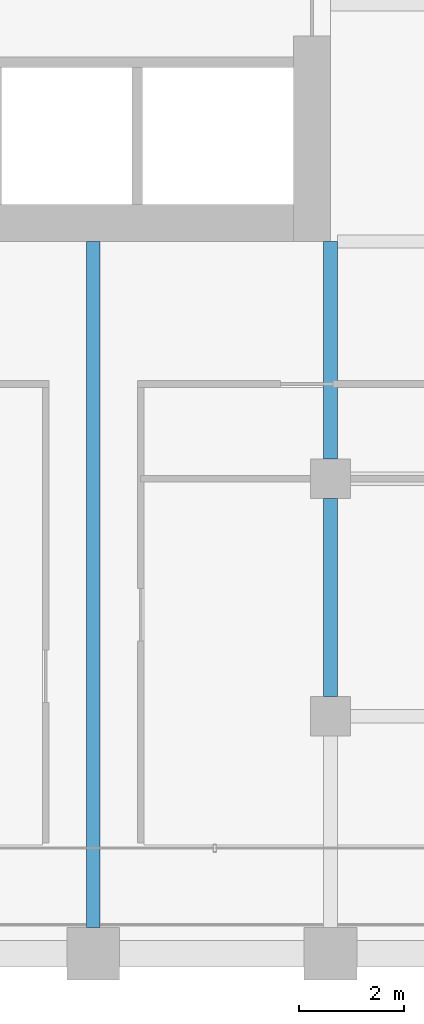
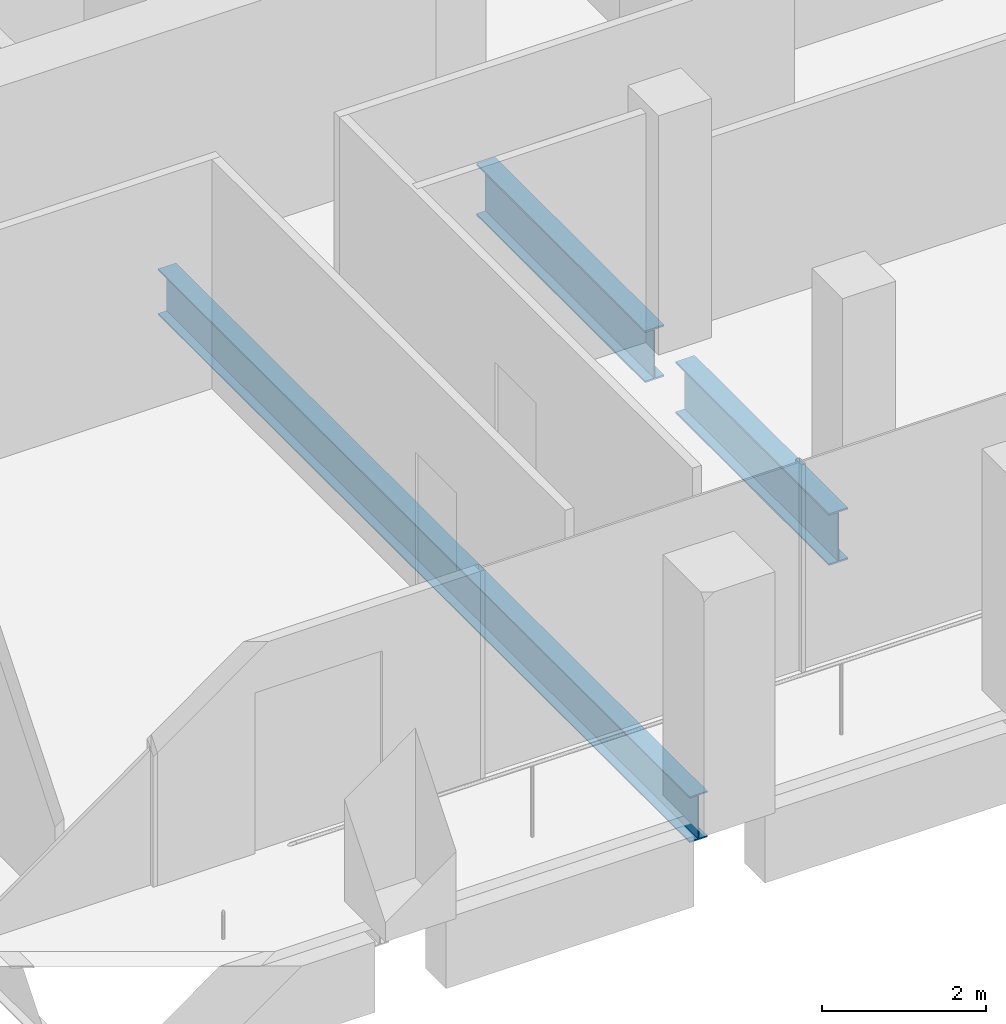
# One storey, part 10 of 46: 3 beams.
"""IFC4 building model written with IfcOpenShell, lengths in metres."""

from ifc_helpers import new_model, si_unit, direction, frame, origin, origin_2d, place, context, subcontext, project, spatial, i_section, extrude, material, material_profile, profile_set, type_object, element, save


model = new_model("IFC4")

# Units and contexts
model_context = context("Model", 3, precision=1e-05, world=origin(), true_north=direction((0.0, 1.0)))
body_context = subcontext(model_context, "Body", "Model", "MODEL_VIEW")
ifc_project = project(units=[si_unit("LENGTHUNIT", "METRE"), si_unit("AREAUNIT", "SQUARE_METRE"), si_unit("VOLUMEUNIT", "CUBIC_METRE"), si_unit("PLANEANGLEUNIT", "RADIAN"), si_unit("MASSUNIT", "GRAM", prefix="KILO")], contexts=[model_context])

# Site, building, storey
site_placement = place(None, origin())
site = spatial("IfcSite", under=ifc_project, at=site_placement, CompositionType="ELEMENT")
building_placement = place(site_placement, origin())
building = spatial("IfcBuilding", under=site, at=building_placement, Name="Altepetl Exchange Towers", CompositionType="ELEMENT")
storey_placement = place(building_placement, frame((0.0, 0.0, 131.60009765625)))
storey = spatial("IfcBuildingStorey", under=building, at=storey_placement, Name="L32", CompositionType="ELEMENT", Elevation=131.60009765625)

# Beams
ifc_material = material(Name="Steel S355", Category="steel")
ifc_material_profile_1 = material_profile(ifc_material, i_section(OverallWidth=0.25390625, OverallDepth=0.68408203125, WebThickness=0.012451171875, FlangeThickness=0.018798828125, at=origin_2d()), Name="W27X94")
ifc_profile_set_1 = profile_set([ifc_material_profile_1], Name="Steel S355")
beam_type_1 = type_object("IfcBeamType", Name="Floor beam W27X94", PredefinedType="BEAM", material=ifc_profile_set_1)
beam_1_placement = place(storey_placement, frame((54.0, 27.5, -0.4921875), z_axis=(0.0, 1.0, 0.0), x_axis=(-1.0, 0.0, 0.0)))
element("IfcBeam", 1, at=beam_1_placement, inside=storey, type_object=beam_type_1, Name="bm:A:L32:017", PredefinedType="BEAM", context=body_context, shape_type="SweptSolid", body=[
    extrude(i_section(OverallWidth=0.25390625, OverallDepth=0.68408203125, WebThickness=0.012451171875, FlangeThickness=0.018798828125, at=origin_2d()), origin(), (0.0, 0.0, 1.0), 13.0),
])
ifc_material_profile_2 = material_profile(ifc_material, i_section(OverallWidth=0.26806640625, OverallDepth=0.77392578125, WebThickness=0.015380859375, FlangeThickness=0.025390625, at=origin_2d()), Name="W30X132")
ifc_profile_set_2 = profile_set([ifc_material_profile_2], Name="Steel S355")
beam_type_2 = type_object("IfcBeamType", Name="Girder W30X132", PredefinedType="BEAM", material=ifc_profile_set_2)
beam_2_placement = place(storey_placement, frame((58.5, 40.5, -0.537109375), z_axis=(0.0, -1.0, 0.0), x_axis=(1.0, 0.0, 0.0)))
element("IfcBeam", 2, at=beam_2_placement, inside=storey, type_object=beam_type_2, Name="gd:A:L32:003", PredefinedType="BEAM", context=body_context, shape_type="SweptSolid", body=[
    extrude(i_section(OverallWidth=0.26806640625, OverallDepth=0.77392578125, WebThickness=0.015380859375, FlangeThickness=0.025390625, at=origin_2d()), origin(), (0.0, 0.0, 1.0), 4.125),
])
beam_3_placement = place(storey_placement, frame((58.5, 35.625, -0.537109375), z_axis=(0.0, -1.0, 0.0), x_axis=(1.0, 0.0, 0.0)))
element("IfcBeam", 3, at=beam_3_placement, inside=storey, type_object=beam_type_2, Name="gd:A:L32:004", PredefinedType="BEAM", context=body_context, shape_type="SweptSolid", body=[
    extrude(i_section(OverallWidth=0.26806640625, OverallDepth=0.77392578125, WebThickness=0.015380859375, FlangeThickness=0.025390625, at=origin_2d()), origin(), (0.0, 0.0, 1.0), 3.75),
])

save(model, "model.ifc")
